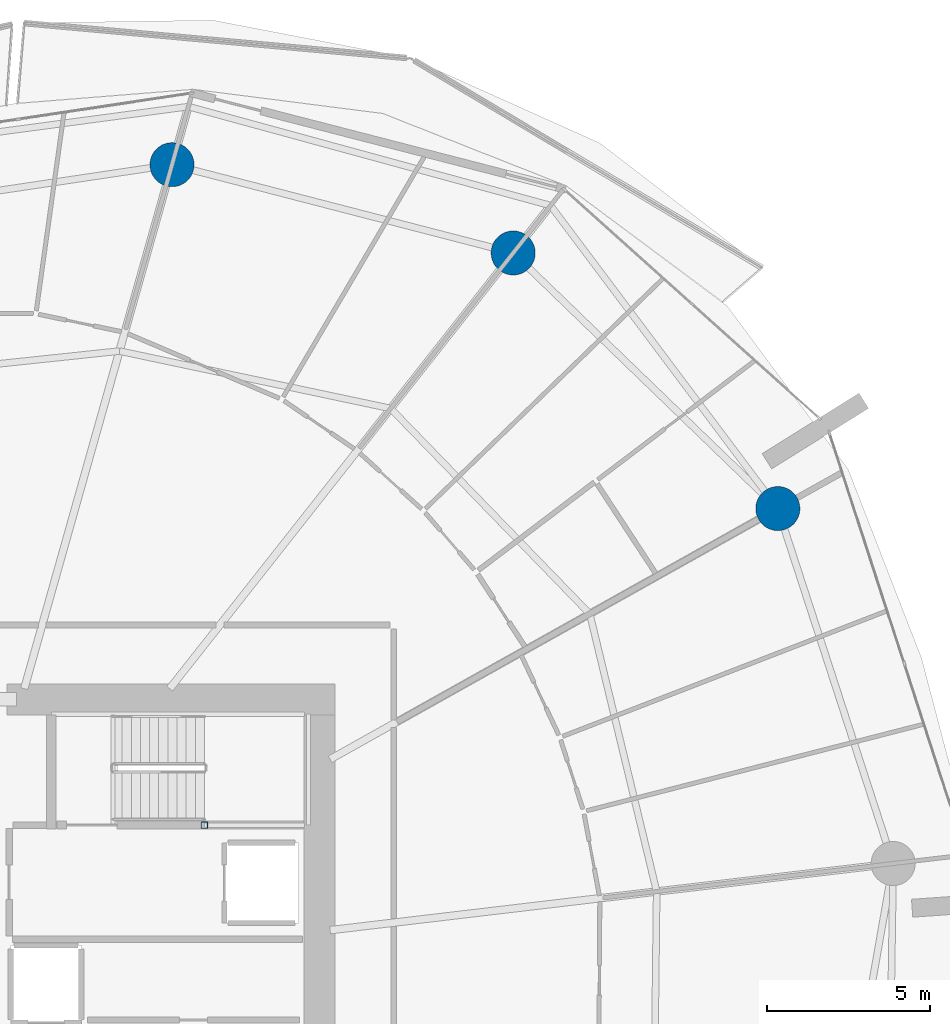
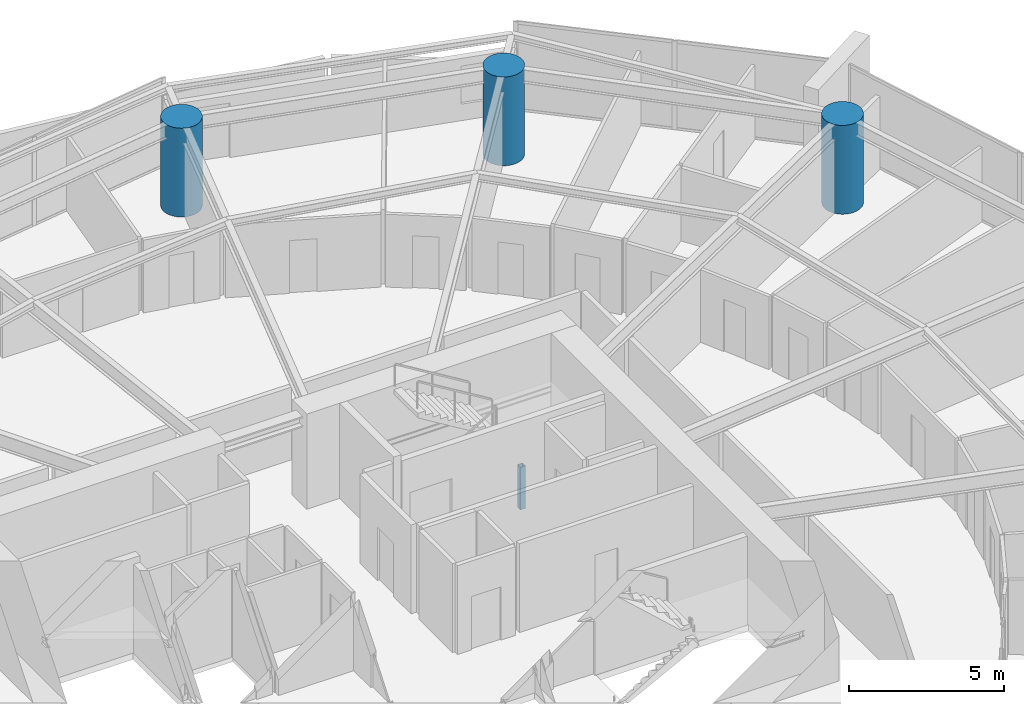
# One storey, part 5 of 31: 4 columns.
"""IFC4 building model written with IfcOpenShell, lengths in metres."""

from ifc_helpers import new_model, si_unit, direction, frame, origin, origin_2d, place, context, subcontext, project, spatial, hollow_rectangle, circle, extrude, material, material_profile, profile_set, type_object, element, save


model = new_model("IFC4")

# Units and contexts
model_context = context("Model", 3, precision=1e-05, world=origin(), true_north=direction((0.0, 1.0)))
body_context = subcontext(model_context, "Body", "Model", "MODEL_VIEW")
ifc_project = project(units=[si_unit("LENGTHUNIT", "METRE"), si_unit("AREAUNIT", "SQUARE_METRE"), si_unit("VOLUMEUNIT", "CUBIC_METRE"), si_unit("PLANEANGLEUNIT", "RADIAN"), si_unit("MASSUNIT", "GRAM", prefix="KILO")], contexts=[model_context])

# Site, building, storey
site_placement = place(None, origin())
site = spatial("IfcSite", under=ifc_project, at=site_placement, CompositionType="ELEMENT")
building_placement = place(site_placement, origin())
building = spatial("IfcBuilding", under=site, at=building_placement, Name="Kazma Halo Residences", CompositionType="ELEMENT")
storey_placement = place(building_placement, frame((0.0, 0.0, 30.14990234375)))
storey = spatial("IfcBuildingStorey", under=building, at=storey_placement, Name="L06", CompositionType="ELEMENT", Elevation=30.14990234375)

# Columns
ifc_material_1 = material(Name="Steel S355", Category="steel")
ifc_material_profile_1 = material_profile(ifc_material_1, hollow_rectangle(XDim=0.199951171875, YDim=0.199951171875, WallThickness=0.010009765625, InnerFilletRadius=0.010009765625, OuterFilletRadius=0.02001953125, at=origin_2d()), Name="SHS200x200x10")
ifc_profile_set_1 = profile_set([ifc_material_profile_1], Name="Steel S355")
column_type_1 = type_object("IfcColumnType", Name="COL-LP-SHS200", PredefinedType="COLUMN", material=ifc_profile_set_1)
column_placement = place(storey_placement, frame((56.0, 46.6201171875, 0.0), z_axis=(0.0, 0.0, 1.0), x_axis=(1.0, 0.0, 0.0)))
element("IfcColumn", 1, at=column_placement, inside=storey, type_object=column_type_1, Name="L06 ST-02 landing pilaster 1", PredefinedType="COLUMN", context=body_context, shape_type="SweptSolid", body=[
    extrude(hollow_rectangle(XDim=0.199951171875, YDim=0.199951171875, WallThickness=0.010009765625, InnerFilletRadius=0.010009765625, OuterFilletRadius=0.02001953125, at=origin_2d()), origin(), (0.0, 0.0, 1.0), 1.670166015625),
])
ifc_material_2 = material(Name="Concrete C80/95", Category="concrete")
ifc_material_profile_2 = material_profile(ifc_material_2, circle(Radius=0.675048828125, at=origin_2d()), Name="CIRC1350")
ifc_profile_set_2 = profile_set([ifc_material_profile_2], Name="Concrete C80/95")
column_type_2 = type_object("IfcColumnType", Name="COL-PERIM-1350", PredefinedType="COLUMN", material=ifc_profile_set_2)
for number, where, z_axis, x_axis, name in (
    (2, (73.56494140625, 56.317138671875, 0.0), (0.0, 0.0, 1.0), (1.0, 0.0, 0.0), "L06 perimeter ring column P01"),
    (3, (65.458251953125, 64.145751953125, 0.0), (0.0, 0.0, 1.0), (1.0, 0.0, 0.0), "L06 perimeter ring column P02"),
    (4, (55.00830078125, 66.849365234375, 0.0), (0.0, 0.0, 1.0), (1.0, 0.0, 0.0), "L06 perimeter ring column P03"),
):
    element("IfcColumn", number, at=place(storey_placement, frame(where, z_axis=z_axis, x_axis=x_axis)), inside=storey, type_object=column_type_2, Name=name, PredefinedType="COLUMN", context=body_context, shape_type="SweptSolid", body=[
        extrude(circle(Radius=0.675048828125, at=origin_2d()), origin(), (0.0, 0.0, 1.0), 3.5),
    ])

save(model, "model.ifc")
